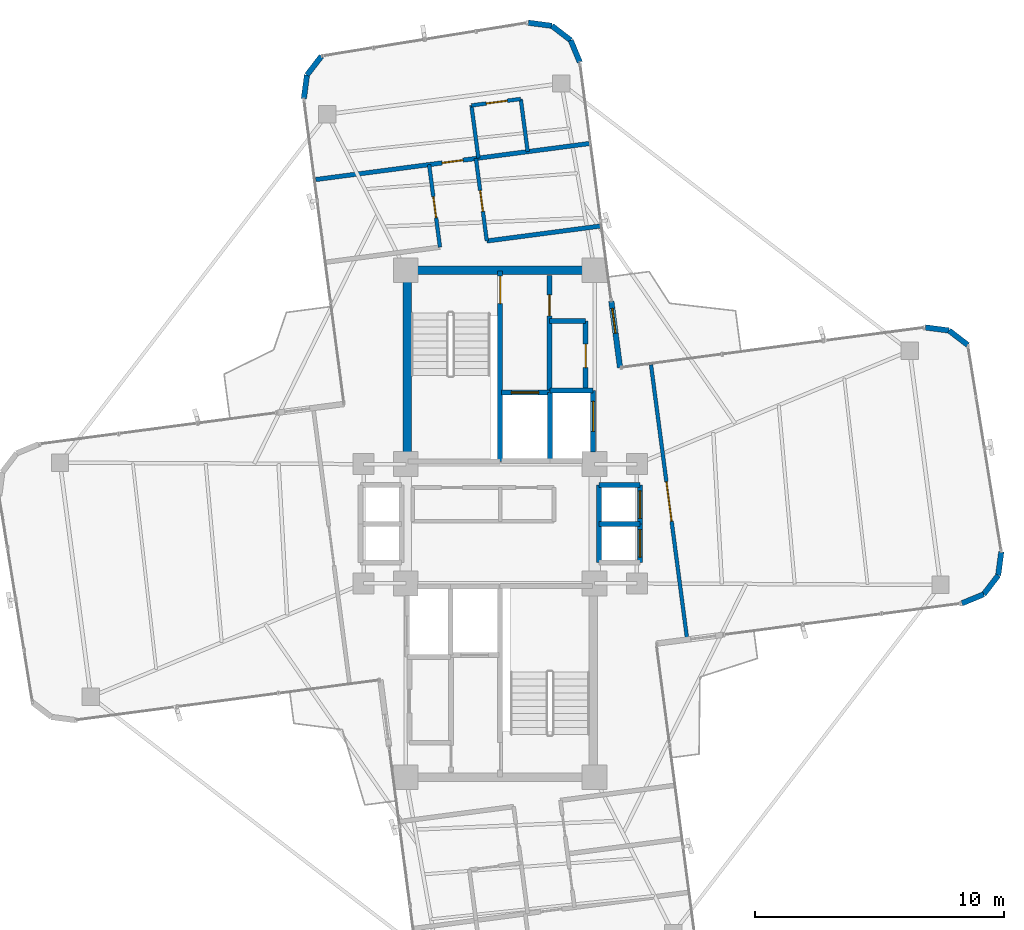
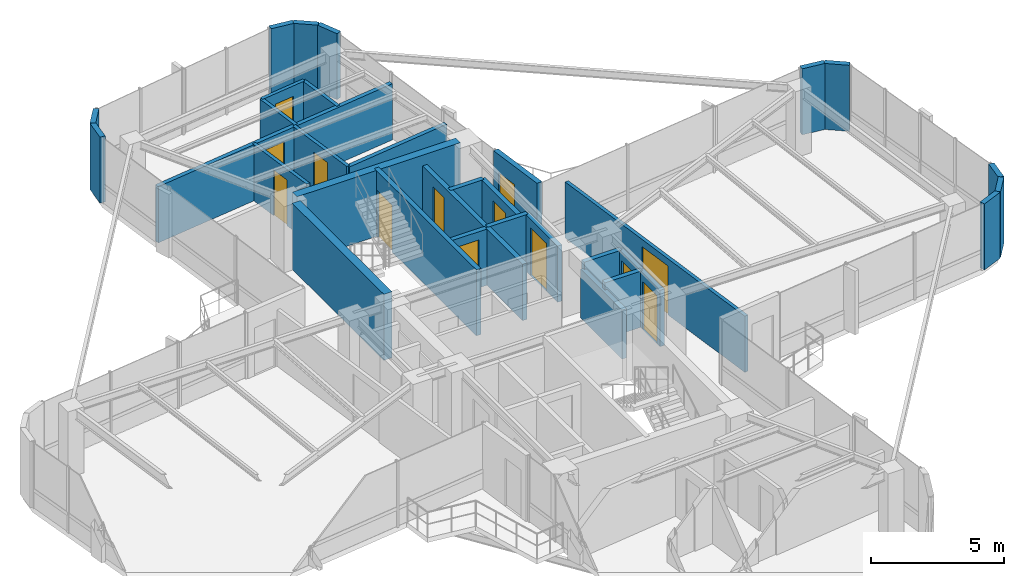
# One storey, part 20 of 22: 34 walls, 13 doors, 13 openings.
"""IFC4 building model written with IfcOpenShell, lengths in metres."""

from ifc_helpers import new_model, si_unit, direction, frame, frame_2d, origin, origin_2d, place, context, subcontext, project, spatial, rectangle, extrude, source, transform, mapped, material, layer, layer_set, type_object, element, fill, save


model = new_model("IFC4")

# Units and contexts
model_context = context("Model", 3, precision=1e-05, world=origin(), true_north=direction((0.0, 1.0)))
body_context = subcontext(model_context, "Body", "Model", "MODEL_VIEW")
ifc_project = project(units=[si_unit("LENGTHUNIT", "METRE"), si_unit("AREAUNIT", "SQUARE_METRE"), si_unit("VOLUMEUNIT", "CUBIC_METRE"), si_unit("PLANEANGLEUNIT", "RADIAN"), si_unit("MASSUNIT", "GRAM", prefix="KILO")], contexts=[model_context])

# Site, building, storey
site_placement = place(None, origin())
site = spatial("IfcSite", under=ifc_project, at=site_placement, CompositionType="ELEMENT")
building_placement = place(site_placement, origin())
building = spatial("IfcBuilding", under=site, at=building_placement, Name="Sahyath Konkavel Grand Hotel", CompositionType="ELEMENT")
storey_placement = place(building_placement, frame((0.0, 0.0, 261.25)))
storey = spatial("IfcBuildingStorey", under=building, at=storey_placement, Name="L73", CompositionType="ELEMENT", Elevation=261.25)

# Walls
ifc_material_1 = material(Name="Concrete C40/50", Category="concrete")
ifc_layer_1 = layer(ifc_material_1, 0.35009765625)
ifc_layer_set_1 = layer_set([ifc_layer_1], Name="Concrete C40/50")
wall_type_1 = type_object("IfcWallType", Name="CWALL-350", PredefinedType="SHEAR", material=ifc_layer_set_1)
wall_1_placement = place(storey_placement, frame((-3.550048828125, 10.199951171875, 0.0), z_axis=(0.0, 0.0, 1.0), x_axis=(1.0, 0.0, 0.0)))
element("IfcWall", 1, at=wall_1_placement, inside=storey, type_object=wall_type_1, Name="L73 North Core Shear Wall N", PredefinedType="SHEAR", context=body_context, shape_type="SweptSolid", body=[
    extrude(rectangle(XDim=7.10009765625, YDim=0.35009765625, at=frame_2d((3.550048828125, 0.0))), origin(), (0.0, 0.0, 1.0), 3.030029296875),
])
wall_2_placement = place(storey_placement, frame((-3.739990234375, 2.85009765625, 0.0), z_axis=(0.0, 0.0, 1.0), x_axis=(0.0, 1.0, 0.0)))
element("IfcWall", 2, at=wall_2_placement, inside=storey, type_object=wall_type_1, Name="L73 North Core Shear Wall W", PredefinedType="SHEAR", context=body_context, shape_type="SweptSolid", body=[
    extrude(rectangle(XDim=6.89990234375, YDim=0.35009765625, at=frame_2d((3.449951171875, 0.0))), origin(), (0.0, 0.0, 1.0), 3.030029296875),
])
ifc_material_2 = material(Name="Warm Buff Sandstone Insulated Concrete C40/50", Category="masonry")
ifc_layer_2 = layer(ifc_material_2, 0.219970703125)
ifc_layer_set_2 = layer_set([ifc_layer_2], Name="Warm Buff Sandstone Insulated Concrete C40/50")
wall_type_2 = type_object("IfcWallType", Name="WLL-BALC-THRESH", PredefinedType="STANDARD", material=ifc_layer_set_2)
wall_3_placement = place(storey_placement, frame((18.56689453125, -3.203857421875, 0.0), z_axis=(0.0, 0.0, 1.0), x_axis=(0.923926759112, 0.382569397359, 0.0)))
element("IfcWall", 3, at=wall_3_placement, inside=storey, type_object=wall_type_2, Name="L73 Rounded Corner Sandstone Pier 1", PredefinedType="STANDARD", context=body_context, shape_type="SweptSolid", body=[
    extrude(rectangle(XDim=0.957763671875, YDim=0.219970703125, at=frame_2d((0.47900390625, 0.0))), origin(), (0.0, 0.0, 1.0), 3.030029296875),
])
for number, where, z_axis, x_axis, name in (
    (4, (19.451904296875, -2.83740234375, 0.0), (0.0, 0.0, 1.0), (0.60861352168, 0.793466811674, 0.0), "L73 Rounded Corner Sandstone Pier 2"),
    (5, (20.03466796875, -2.07763671875, 0.0), (0.0, 0.0, 1.0), (0.13056005306, 0.991440402921, 0.0), "L73 Rounded Corner Sandstone Pier 3"),
    (6, (18.814208984375, 7.1923828125, 0.0), (0.0, 0.0, 1.0), (-0.793249178392, 0.608897151398, 0.0), "L73 Rounded Corner Sandstone Pier 5"),
):
    element("IfcWall", number, at=place(storey_placement, frame(where, z_axis=z_axis, x_axis=x_axis)), inside=storey, type_object=wall_type_2, Name=name, PredefinedType="STANDARD", context=body_context, shape_type="SweptSolid", body=[
        extrude(rectangle(XDim=0.95751953125, YDim=0.219970703125, at=frame_2d((0.478759765625, 0.0))), origin(), (0.0, 0.0, 1.0), 3.030029296875),
    ])
wall_4_placement = place(storey_placement, frame((18.0546875, 7.775390625, 0.0), z_axis=(0.0, 0.0, 1.0), x_axis=(-0.991449089759, 0.130494070426, 0.0)))
element("IfcWall", 7, at=wall_4_placement, inside=storey, type_object=wall_type_2, Name="L73 Rounded Corner Sandstone Pier 6", PredefinedType="STANDARD", context=body_context, shape_type="SweptSolid", body=[
    extrude(rectangle(XDim=0.9580078125, YDim=0.219970703125, at=frame_2d((0.47900390625, 0.0))), origin(), (0.0, 0.0, 1.0), 3.030029296875),
])

# Wall, opening, door
wall_5_placement = place(storey_placement, frame((4.821044921875, 6.282958984375, 0.0), z_axis=(0.0, 0.0, 1.0), x_axis=(-0.130475563272, 0.991451525486, 0.0)))
wall_5 = element("IfcWall", 8, at=wall_5_placement, inside=storey, type_object=wall_type_2, Name="L73 Winter-Garden Threshold Wall 8", PredefinedType="STANDARD", context=body_context, shape_type="SweptSolid", body=[
    extrude(rectangle(XDim=2.7001953125, YDim=0.219970703125, at=frame_2d((1.35009765625, 0.0))), origin(), (0.0, 0.0, 1.0), 3.030029296875),
])
opening_1_placement = place(wall_5_placement, frame((1.39990234375, 0.0, 0.0)))
opening_1 = element("IfcOpeningElement", 9, at=opening_1_placement, cuts=wall_5, Name="Opening D-TR1", PredefinedType="OPENING", context=body_context, shape_type="SweptSolid", body=[
    extrude(rectangle(XDim=1.0, YDim=2.199951171875, at=frame_2d((0.5, 1.10009765625))), frame((0.0, 0.1201171875, 0.0), z_axis=(0.0, -1.0, 0.0), x_axis=(1.0, 0.0, 0.0)), (0.0, 0.0, 1.0), 0.239990234375),
])
ifc_material_3 = material(Name="Anodised Bronze Aluminium & Low-E Glazing", Category="aluminium")
door_type_1 = type_object("IfcDoorType", Name="DR-TERRACE-1000", OperationType="NOTDEFINED", PredefinedType="DOOR", material=ifc_material_3)
shared_shape_1 = source(origin(), body_context, "Body", "SweptSolid", [
    extrude(rectangle(XDim=1.0, YDim=0.050048828125, at=origin_2d()), origin(), (0.0, 0.0, 1.0), 2.199951171875),
])
door_1_placement = place(opening_1_placement, frame((0.5, 0.0, 0.0)))
door_1 = element("IfcDoor", 10, at=door_1_placement, inside=storey, type_object=door_type_1, Name="L73 Winter-Garden Terrace Door 8", OperationType="SINGLE_SWING_LEFT", OverallHeight=2.199951171875, OverallWidth=1.0, PredefinedType="DOOR", context=body_context, shape_type="MappedRepresentation", body=[
    mapped(shared_shape_1, transform((0.0, 0.0, 0.0), scale=1.0)),
])
fill(opening_1, door_1)

# Walls
wall_6_placement = place(storey_placement, frame((3.203857421875, 18.56689453125, 0.0), z_axis=(0.0, 0.0, 1.0), x_axis=(-0.382569397359, 0.923926759112, 0.0)))
element("IfcWall", 11, at=wall_6_placement, inside=storey, type_object=wall_type_2, Name="L73 Rounded Corner Sandstone Pier 9", PredefinedType="STANDARD", context=body_context, shape_type="SweptSolid", body=[
    extrude(rectangle(XDim=0.957763671875, YDim=0.219970703125, at=frame_2d((0.47900390625, 0.0))), origin(), (0.0, 0.0, 1.0), 3.030029296875),
])
for number, where, z_axis, x_axis, name in (
    (12, (2.83740234375, 19.451904296875, 0.0), (0.0, 0.0, 1.0), (-0.793466811674, 0.60861352168, 0.0), "L73 Rounded Corner Sandstone Pier 10"),
    (13, (2.07763671875, 20.03466796875, 0.0), (0.0, 0.0, 1.0), (-0.991440402921, 0.13056005306, 0.0), "L73 Rounded Corner Sandstone Pier 11"),
    (14, (-7.1923828125, 18.814208984375, 0.0), (0.0, 0.0, 1.0), (-0.608897151398, -0.793249178392, 0.0), "L73 Rounded Corner Sandstone Pier 13"),
):
    element("IfcWall", number, at=place(storey_placement, frame(where, z_axis=z_axis, x_axis=x_axis)), inside=storey, type_object=wall_type_2, Name=name, PredefinedType="STANDARD", context=body_context, shape_type="SweptSolid", body=[
        extrude(rectangle(XDim=0.95751953125, YDim=0.219970703125, at=frame_2d((0.478759765625, 0.0))), origin(), (0.0, 0.0, 1.0), 3.030029296875),
    ])
wall_7_placement = place(storey_placement, frame((-7.775390625, 18.0546875, 0.0), z_axis=(0.0, 0.0, 1.0), x_axis=(-0.130494070426, -0.991449089759, 0.0)))
element("IfcWall", 15, at=wall_7_placement, inside=storey, type_object=wall_type_2, Name="L73 Rounded Corner Sandstone Pier 14", PredefinedType="STANDARD", context=body_context, shape_type="SweptSolid", body=[
    extrude(rectangle(XDim=0.9580078125, YDim=0.219970703125, at=frame_2d((0.47900390625, 0.0))), origin(), (0.0, 0.0, 1.0), 3.030029296875),
])

# Wall, opening, door
ifc_layer_3 = layer(ifc_material_1, 0.199951171875)
ifc_layer_set_3 = layer_set([ifc_layer_3], Name="Concrete C40/50")
wall_type_3 = type_object("IfcWallType", Name="WLL-CORE-200", PredefinedType="SOLIDWALL", material=ifc_layer_set_3)
wall_8_placement = place(storey_placement, frame((0.0, 2.5, 0.0), z_axis=(0.0, 0.0, 1.0), x_axis=(0.0, 1.0, 0.0)))
wall_8 = element("IfcWall", 16, at=wall_8_placement, inside=storey, type_object=wall_type_3, Name="L73 Stair ST-1 Shaft Wall E", PredefinedType="SOLIDWALL", context=body_context, shape_type="SweptSolid", body=[
    extrude(rectangle(XDim=7.679931640625, YDim=0.199951171875, at=frame_2d((3.83984375, 0.0))), origin(), (0.0, 0.0, 1.0), 3.030029296875),
])
opening_2_placement = place(wall_8_placement, frame((6.360107421875, 0.0, 0.0)))
opening_2 = element("IfcOpeningElement", 17, at=opening_2_placement, cuts=wall_8, Name="Opening D-F12B", PredefinedType="OPENING", context=body_context, shape_type="SweptSolid", body=[
    extrude(rectangle(XDim=1.10009765625, YDim=2.14990234375, at=frame_2d((0.550048828125, 1.074951171875))), frame((0.0, 0.10986328125, 0.0), z_axis=(0.0, -1.0, 0.0), x_axis=(1.0, 0.0, 0.0)), (0.0, 0.0, 1.0), 0.219970703125),
])
ifc_material_4 = material(Name="Steel E350 Smokeproof Fire Door", Category="steel")
door_type_2 = type_object("IfcDoorType", Name="DR-FD120-1100", OperationType="NOTDEFINED", PredefinedType="DOOR", material=ifc_material_4)
shared_shape_2 = source(origin(), body_context, "Body", "SweptSolid", [
    extrude(rectangle(XDim=1.10009765625, YDim=0.050048828125, at=origin_2d()), origin(), (0.0, 0.0, 1.0), 2.14990234375),
])
door_2_placement = place(opening_2_placement, frame((0.550048828125, 0.0, 0.0)))
door_2 = element("IfcDoor", 18, at=door_2_placement, inside=storey, type_object=door_type_2, Name="L73 Stair ST-1 Fire Door", OperationType="SINGLE_SWING_LEFT", OverallHeight=2.14990234375, OverallWidth=1.10009765625, PredefinedType="DOOR", context=body_context, shape_type="MappedRepresentation", body=[
    mapped(shared_shape_2, transform((0.0, 0.0, 0.0), scale=1.0)),
])
fill(opening_2, door_2)

wall_9_placement = place(storey_placement, frame((1.97998046875, 5.320068359375, 0.0), z_axis=(0.0, 0.0, 1.0), x_axis=(0.0, 1.0, 0.0)))
wall_9 = element("IfcWall", 19, at=wall_9_placement, inside=storey, type_object=wall_type_3, Name="L73 North Firefighting Lobby Wall E", PredefinedType="SOLIDWALL", context=body_context, shape_type="SweptSolid", body=[
    extrude(rectangle(XDim=4.659912109375, YDim=0.199951171875, at=frame_2d((2.330078125, 0.0))), origin(), (0.0, 0.0, 1.0), 2.580078125),
])
opening_3_placement = place(wall_9_placement, frame((3.0400390625, 0.0, 0.0)))
opening_3 = element("IfcOpeningElement", 20, at=opening_3_placement, cuts=wall_9, Name="Opening D-F12D", PredefinedType="OPENING", context=body_context, shape_type="SweptSolid", body=[
    extrude(rectangle(XDim=0.85009765625, YDim=2.10009765625, at=frame_2d((0.425048828125, 1.050048828125))), frame((0.0, 0.10986328125, 0.0), z_axis=(0.0, -1.0, 0.0), x_axis=(1.0, 0.0, 0.0)), (0.0, 0.0, 1.0), 0.219970703125),
])
ifc_material_5 = material(Name="Steel E350 Core Fire Door", Category="steel")
door_type_3 = type_object("IfcDoorType", Name="DR-FD120-850", OperationType="NOTDEFINED", PredefinedType="DOOR", material=ifc_material_5)
shared_shape_3 = source(origin(), body_context, "Body", "SweptSolid", [
    extrude(rectangle(XDim=0.85009765625, YDim=0.050048828125, at=origin_2d()), origin(), (0.0, 0.0, 1.0), 2.10009765625),
])
door_3_placement = place(opening_3_placement, frame((0.425048828125, 0.0, 0.0)))
door_3 = element("IfcDoor", 21, at=door_3_placement, inside=storey, type_object=door_type_3, Name="L73 North Firefighting Lobby Door", OperationType="SINGLE_SWING_LEFT", OverallHeight=2.10009765625, OverallWidth=0.85009765625, PredefinedType="DOOR", context=body_context, shape_type="MappedRepresentation", body=[
    mapped(shared_shape_3, transform((0.0, 0.0, 0.0), scale=1.0)),
])
fill(opening_3, door_3)

# Wall
wall_10_placement = place(storey_placement, frame((2.0, 2.5, 0.0), z_axis=(0.0, 0.0, 1.0), x_axis=(0.0, 1.0, 0.0)))
element("IfcWall", 22, at=wall_10_placement, inside=storey, type_object=wall_type_3, Name="L73 Partition SH-FFL1-E", PredefinedType="SOLIDWALL", context=body_context, shape_type="SweptSolid", body=[
    extrude(rectangle(XDim=2.780029296875, YDim=0.199951171875, at=frame_2d((1.39013671875, 0.0))), origin(), (0.0, 0.0, 1.0), 2.580078125),
])

# Wall, opening, door
wall_11_placement = place(storey_placement, frame((0.050048828125, 5.280029296875, 0.0), z_axis=(0.0, 0.0, 1.0), x_axis=(1.0, 0.0, 0.0)))
wall_11 = element("IfcWall", 23, at=wall_11_placement, inside=storey, type_object=wall_type_3, Name="L73 Partition SH-FFL1-N", PredefinedType="SOLIDWALL", context=body_context, shape_type="SweptSolid", body=[
    extrude(rectangle(XDim=1.929931640625, YDim=0.199951171875, at=frame_2d((0.96484375, 0.0))), origin(), (0.0, 0.0, 1.0), 2.580078125),
])
opening_4_placement = place(wall_11_placement, frame((0.39990234375, 0.0, 0.0)))
opening_4 = element("IfcOpeningElement", 24, at=opening_4_placement, cuts=wall_11, Name="Opening LD-11", PredefinedType="OPENING", context=body_context, shape_type="SweptSolid", body=[
    extrude(rectangle(XDim=1.10009765625, YDim=2.199951171875, at=frame_2d((0.550048828125, 1.10009765625))), frame((0.0, 0.10986328125, 0.0), z_axis=(0.0, -1.0, 0.0), x_axis=(1.0, 0.0, 0.0)), (0.0, 0.0, 1.0), 0.219970703125),
])
ifc_material_6 = material(Name="Bronze Lift Landing Door 1100")
door_type_4 = type_object("IfcDoorType", Name="DR-LIFT-1100", OperationType="DOUBLE_DOOR_SLIDING", PredefinedType="DOOR", material=ifc_material_6)
shared_shape_4 = source(origin(), body_context, "Body", "SweptSolid", [
    extrude(rectangle(XDim=1.10009765625, YDim=0.050048828125, at=origin_2d()), origin(), (0.0, 0.0, 1.0), 2.199951171875),
])
door_4_placement = place(opening_4_placement, frame((0.550048828125, 0.0, 0.0)))
door_4 = element("IfcDoor", 25, at=door_4_placement, inside=storey, type_object=door_type_4, Name="L73 Lift FFL-1 Landing Door", OperationType="DOUBLE_DOOR_SLIDING", OverallHeight=2.199951171875, OverallWidth=1.10009765625, PredefinedType="DOOR", context=body_context, shape_type="MappedRepresentation", body=[
    mapped(shared_shape_4, transform((0.0, 0.0, 0.0), scale=1.0)),
])
fill(opening_4, door_4)

# Wall
wall_12_placement = place(storey_placement, frame((2.0, 5.360107421875, 0.0), z_axis=(0.0, 0.0, 1.0), x_axis=(1.0, 0.0, 0.0)))
element("IfcWall", 26, at=wall_12_placement, inside=storey, type_object=wall_type_3, Name="L73 Partition SH-SVL1-N", PredefinedType="SOLIDWALL", context=body_context, shape_type="SweptSolid", body=[
    extrude(rectangle(XDim=1.739990234375, YDim=0.199951171875, at=frame_2d((0.8701171875, 0.0))), origin(), (0.0, 0.0, 1.0), 2.580078125),
])

# Wall, opening, door
wall_13_placement = place(storey_placement, frame((3.739990234375, 2.8798828125, 0.0), z_axis=(0.0, 0.0, 1.0), x_axis=(0.0, 1.0, 0.0)))
wall_13 = element("IfcWall", 27, at=wall_13_placement, inside=storey, type_object=wall_type_3, Name="L73 Partition SH-SVL1-E", PredefinedType="SOLIDWALL", context=body_context, shape_type="SweptSolid", body=[
    extrude(rectangle(XDim=2.480224609375, YDim=0.199951171875, at=frame_2d((1.240234375, 0.0))), origin(), (0.0, 0.0, 1.0), 2.580078125),
])
opening_5_placement = place(wall_13_placement, frame((0.840087890625, 0.0, 0.0)))
opening_5 = element("IfcOpeningElement", 28, at=opening_5_placement, cuts=wall_13, Name="Opening LD-12", PredefinedType="OPENING", context=body_context, shape_type="SweptSolid", body=[
    extrude(rectangle(XDim=1.199951171875, YDim=2.199951171875, at=frame_2d((0.60009765625, 1.10009765625))), frame((0.0, 0.10986328125, 0.0), z_axis=(0.0, -1.0, 0.0), x_axis=(1.0, 0.0, 0.0)), (0.0, 0.0, 1.0), 0.219970703125),
])
ifc_material_7 = material(Name="Stainless Steel Lift Landing Door 1200", Category="steel")
door_type_5 = type_object("IfcDoorType", Name="DR-LIFT-1200", OperationType="DOUBLE_DOOR_SLIDING", PredefinedType="DOOR", material=ifc_material_7)
shared_shape_5 = source(origin(), body_context, "Body", "SweptSolid", [
    extrude(rectangle(XDim=1.199951171875, YDim=0.050048828125, at=origin_2d()), origin(), (0.0, 0.0, 1.0), 2.199951171875),
])
door_5_placement = place(opening_5_placement, frame((0.60009765625, 0.0, 0.0)))
door_5 = element("IfcDoor", 29, at=door_5_placement, inside=storey, type_object=door_type_5, Name="L73 Service Lift SVL-1 Landing Door", OperationType="DOUBLE_DOOR_SLIDING", OverallHeight=2.199951171875, OverallWidth=1.199951171875, PredefinedType="DOOR", context=body_context, shape_type="MappedRepresentation", body=[
    mapped(shared_shape_5, transform((0.0, 0.0, 0.0), scale=1.0)),
])
fill(opening_5, door_5)

# Walls
wall_14_placement = place(storey_placement, frame((3.97998046875, -1.56005859375, 0.0), z_axis=(0.0, 0.0, 1.0), x_axis=(0.0, 1.0, 0.0)))
element("IfcWall", 30, at=wall_14_placement, inside=storey, type_object=wall_type_3, Name="L73 Partition SH-PL56-W", PredefinedType="SOLIDWALL", context=body_context, shape_type="SweptSolid", body=[
    extrude(rectangle(XDim=3.1201171875, YDim=0.199951171875, at=frame_2d((1.56005859375, 0.0))), origin(), (0.0, 0.0, 1.0), 2.25),
])
for number, where, z_axis, x_axis, name in (
    (31, (3.97998046875, 1.56005859375, 0.0), (0.0, 0.0, 1.0), (1.0, 0.0, 0.0), "L73 Partition SH-PL56-N"),
    (32, (3.97998046875, 0.0, 0.0), (0.0, 0.0, 1.0), (1.0, 0.0, 0.0), "L73 Partition SH-PL56-M"),
):
    element("IfcWall", number, at=place(storey_placement, frame(where, z_axis=z_axis, x_axis=x_axis)), inside=storey, type_object=wall_type_3, Name=name, PredefinedType="SOLIDWALL", context=body_context, shape_type="SweptSolid", body=[
        extrude(rectangle(XDim=1.64013671875, YDim=0.199951171875, at=frame_2d((0.820068359375, 0.0))), origin(), (0.0, 0.0, 1.0), 2.580078125),
    ])

# Wall, opening, door
wall_15_placement = place(storey_placement, frame((5.6201171875, 0.0, 0.0), z_axis=(0.0, 0.0, 1.0), x_axis=(0.0, 1.0, 0.0)))
wall_15 = element("IfcWall", 33, at=wall_15_placement, inside=storey, type_object=wall_type_3, Name="L73 Partition SH-PL5-E", PredefinedType="SOLIDWALL", context=body_context, shape_type="SweptSolid", body=[
    extrude(rectangle(XDim=1.56005859375, YDim=0.199951171875, at=frame_2d((0.780029296875, 0.0))), origin(), (0.0, 0.0, 1.0), 2.580078125),
])
opening_6_placement = place(wall_15_placement, frame((0.219970703125, 0.0, 0.0)))
opening_6 = element("IfcOpeningElement", 34, at=opening_6_placement, cuts=wall_15, Name="Opening LD-11", PredefinedType="OPENING", context=body_context, shape_type="SweptSolid", body=[
    extrude(rectangle(XDim=1.10009765625, YDim=2.199951171875, at=frame_2d((0.550048828125, 1.10009765625))), frame((0.0, 0.10986328125, 0.0), z_axis=(0.0, -1.0, 0.0), x_axis=(1.0, 0.0, 0.0)), (0.0, 0.0, 1.0), 0.219970703125),
])
door_6_placement = place(opening_6_placement, frame((0.550048828125, 0.0, 0.0)))
door_6 = element("IfcDoor", 35, at=door_6_placement, inside=storey, type_object=door_type_4, Name="L73 High-Rise Lift PL-5 Landing Door", OperationType="DOUBLE_DOOR_SLIDING", OverallHeight=2.199951171875, OverallWidth=1.10009765625, PredefinedType="DOOR", context=body_context, shape_type="MappedRepresentation", body=[
    mapped(shared_shape_4, transform((0.0, 0.0, 0.0), scale=1.0)),
])
fill(opening_6, door_6)

wall_16_placement = place(storey_placement, frame((5.6201171875, -1.56005859375, 0.0), z_axis=(0.0, 0.0, 1.0), x_axis=(0.0, 1.0, 0.0)))
wall_16 = element("IfcWall", 36, at=wall_16_placement, inside=storey, type_object=wall_type_3, Name="L73 Partition SH-PL6-E", PredefinedType="SOLIDWALL", context=body_context, shape_type="SweptSolid", body=[
    extrude(rectangle(XDim=1.56005859375, YDim=0.199951171875, at=frame_2d((0.780029296875, 0.0))), origin(), (0.0, 0.0, 1.0), 2.580078125),
])
opening_7_placement = place(wall_16_placement, frame((0.219970703125, 0.0, 0.0)))
opening_7 = element("IfcOpeningElement", 37, at=opening_7_placement, cuts=wall_16, Name="Opening LD-11", PredefinedType="OPENING", context=body_context, shape_type="SweptSolid", body=[
    extrude(rectangle(XDim=1.10009765625, YDim=2.199951171875, at=frame_2d((0.550048828125, 1.10009765625))), frame((0.0, 0.10986328125, 0.0), z_axis=(0.0, -1.0, 0.0), x_axis=(1.0, 0.0, 0.0)), (0.0, 0.0, 1.0), 0.219970703125),
])
door_7_placement = place(opening_7_placement, frame((0.550048828125, 0.0, 0.0)))
door_7 = element("IfcDoor", 38, at=door_7_placement, inside=storey, type_object=door_type_4, Name="L73 High-Rise Lift PL-6 Landing Door", OperationType="DOUBLE_DOOR_SLIDING", OverallHeight=2.199951171875, OverallWidth=1.10009765625, PredefinedType="DOOR", context=body_context, shape_type="MappedRepresentation", body=[
    mapped(shared_shape_4, transform((0.0, 0.0, 0.0), scale=1.0)),
])
fill(opening_7, door_7)

wall_17_placement = place(storey_placement, frame((3.43994140625, 5.3798828125, 0.0), z_axis=(0.0, 0.0, 1.0), x_axis=(0.0, 1.0, 0.0)))
wall_17 = element("IfcWall", 39, at=wall_17_placement, inside=storey, type_object=wall_type_3, Name="L73 Reclaimed North Core Wall E", PredefinedType="SOLIDWALL", context=body_context, shape_type="SweptSolid", body=[
    extrude(rectangle(XDim=2.77001953125, YDim=0.199951171875, at=frame_2d((1.385009765625, 0.0))), origin(), (0.0, 0.0, 1.0), 2.580078125),
])
opening_8_placement = place(wall_17_placement, frame((0.89990234375, 0.0, 0.0)))
opening_8 = element("IfcOpeningElement", 40, at=opening_8_placement, cuts=wall_17, Name="Opening D-F06B", PredefinedType="OPENING", context=body_context, shape_type="SweptSolid", body=[
    extrude(rectangle(XDim=0.949951171875, YDim=2.14990234375, at=frame_2d((0.47509765625, 1.074951171875))), frame((0.0, 0.10986328125, 0.0), z_axis=(0.0, -1.0, 0.0), x_axis=(1.0, 0.0, 0.0)), (0.0, 0.0, 1.0), 0.219970703125),
])
ifc_material_8 = material(Name="Teak Veneer Fire-Rated Guest Entrance Door")
door_type_6 = type_object("IfcDoorType", Name="DR-FD60-950", OperationType="NOTDEFINED", PredefinedType="DOOR", material=ifc_material_8)
shared_shape_6 = source(origin(), body_context, "Body", "SweptSolid", [
    extrude(rectangle(XDim=0.949951171875, YDim=0.050048828125, at=origin_2d()), origin(), (0.0, 0.0, 1.0), 2.14990234375),
])
door_8_placement = place(opening_8_placement, frame((0.47509765625, 0.0, 0.0)))
door_8 = element("IfcDoor", 41, at=door_8_placement, inside=storey, type_object=door_type_6, Name="L73 Door NC-REC1-D", OperationType="SINGLE_SWING_LEFT", OverallHeight=2.14990234375, OverallWidth=0.949951171875, PredefinedType="DOOR", context=body_context, shape_type="MappedRepresentation", body=[
    mapped(shared_shape_6, transform((0.0, 0.0, 0.0), scale=1.0)),
])
fill(opening_8, door_8)

# Walls
wall_18_placement = place(storey_placement, frame((1.97998046875, 8.14990234375, 0.0), z_axis=(0.0, 0.0, 1.0), x_axis=(1.0, 0.0, 0.0)))
element("IfcWall", 42, at=wall_18_placement, inside=storey, type_object=wall_type_3, Name="L73 Partition NC-REC-N", PredefinedType="SOLIDWALL", context=body_context, shape_type="SweptSolid", body=[
    extrude(rectangle(XDim=1.4599609375, YDim=0.199951171875, at=frame_2d((0.72998046875, 0.0))), origin(), (0.0, 0.0, 1.0), 2.580078125),
])
ifc_material_9 = material(Name="Twin-Stud Acoustic Gypsum Plasterboard Partition")
ifc_layer_4 = layer(ifc_material_9, 0.179931640625)
ifc_layer_set_4 = layer_set([ifc_layer_4], Name="Twin-Stud Acoustic Gypsum Plasterboard Partition")
wall_type_4 = type_object("IfcWallType", Name="WLL-DEMISE-180", PredefinedType="PARTITIONING", material=ifc_layer_set_4)
wall_19_placement = place(storey_placement, frame((4.02099609375, 11.977294921875, 0.0), z_axis=(0.0, 0.0, 1.0), x_axis=(-0.991446706518, -0.130512176195, 0.0)))
element("IfcWall", 43, at=wall_19_placement, inside=storey, type_object=wall_type_4, Name="L73 Partition N-INR", PredefinedType="PARTITIONING", context=body_context, shape_type="SweptSolid", body=[
    extrude(rectangle(XDim=4.599853515625, YDim=0.179931640625, at=frame_2d((2.2998046875, 0.0))), origin(), (0.0, 0.0, 1.0), 2.580078125),
])

# Wall, opening, door
wall_20_placement = place(storey_placement, frame((3.583740234375, 15.298583984375, 0.0), z_axis=(0.0, 0.0, 1.0), x_axis=(-0.991446283422, -0.130515390239, 0.0)))
wall_20 = element("IfcWall", 44, at=wall_20_placement, inside=storey, type_object=wall_type_4, Name="L73 Partition N-NTIP-END", PredefinedType="PARTITIONING", context=body_context, shape_type="SweptSolid", body=[
    extrude(rectangle(XDim=11.10009765625, YDim=0.179931640625, at=frame_2d((5.550048828125, 0.0))), origin(), (0.0, 0.0, 1.0), 2.580078125),
])
opening_9_placement = place(wall_20_placement, frame((5.125, 0.0, 0.0)))
opening_9 = element("IfcOpeningElement", 45, at=opening_9_placement, cuts=wall_20, Name="Opening D-F06D", PredefinedType="OPENING", context=body_context, shape_type="SweptSolid", body=[
    extrude(rectangle(XDim=0.85009765625, YDim=2.10009765625, at=frame_2d((0.425048828125, 1.050048828125))), frame((0.0, 0.10009765625, 0.0), z_axis=(0.0, -1.0, 0.0), x_axis=(1.0, 0.0, 0.0)), (0.0, 0.0, 1.0), 0.199951171875),
])
ifc_material_10 = material(Name="Fire-Rated Shaft Access Door")
door_type_7 = type_object("IfcDoorType", Name="DR-FD60-850", OperationType="NOTDEFINED", PredefinedType="DOOR", material=ifc_material_10)
door_9_placement = place(opening_9_placement, frame((0.425048828125, 0.0, 0.0)))
door_9 = element("IfcDoor", 46, at=door_9_placement, inside=storey, type_object=door_type_7, Name="L73 Door N-NTIP-ED", OperationType="SINGLE_SWING_RIGHT", OverallHeight=2.10009765625, OverallWidth=0.85009765625, PredefinedType="DOOR", context=body_context, shape_type="MappedRepresentation", body=[
    mapped(shared_shape_3, transform((0.0, 0.0, 0.0), scale=1.0)),
])
fill(opening_9, door_9)

ifc_material_11 = material(Name="Fire-Rated Gypsum Plasterboard Partition")
ifc_layer_5 = layer(ifc_material_11, 0.14990234375)
ifc_layer_set_5 = layer_set([ifc_layer_5], Name="Fire-Rated Gypsum Plasterboard Partition")
wall_type_5 = type_object("IfcWallType", Name="WLL-PART-150", PredefinedType="PARTITIONING", material=ifc_layer_set_5)
wall_21_placement = place(storey_placement, frame((7.515869140625, -4.6083984375, 0.0), z_axis=(0.0, 0.0, 1.0), x_axis=(-0.130539856574, 0.991443062332, 0.0)))
wall_21 = element("IfcWall", 47, at=wall_21_placement, inside=storey, type_object=wall_type_5, Name="L73 Partition E-SAL-IN", PredefinedType="PARTITIONING", context=body_context, shape_type="SweptSolid", body=[
    extrude(rectangle(XDim=11.099853515625, YDim=0.14990234375, at=frame_2d((5.5498046875, 0.0))), origin(), (0.0, 0.0, 1.0), 2.580078125),
])
opening_10_placement = place(wall_21_placement, frame((4.75, 0.0, 0.0)))
opening_10 = element("IfcOpeningElement", 48, at=opening_10_placement, cuts=wall_21, Name="Opening D-DB16", PredefinedType="OPENING", context=body_context, shape_type="SweptSolid", body=[
    extrude(rectangle(XDim=1.60009765625, YDim=2.25, at=frame_2d((0.800048828125, 1.125))), frame((0.0, 0.0849609375, 0.0), z_axis=(0.0, -1.0, 0.0), x_axis=(1.0, 0.0, 0.0)), (0.0, 0.0, 1.0), 0.169921875),
])
ifc_material_12 = material(Name="Double Leaf Lounge Glazed Timber Door", Category="wood")
door_type_8 = type_object("IfcDoorType", Name="DR-DBL-1600", OperationType="DOUBLE_DOOR_SINGLE_SWING", PredefinedType="DOOR", material=ifc_material_12)
shared_shape_7 = source(origin(), body_context, "Body", "SweptSolid", [
    extrude(rectangle(XDim=1.60009765625, YDim=0.050048828125, at=origin_2d()), origin(), (0.0, 0.0, 1.0), 2.25),
])
door_10_placement = place(opening_10_placement, frame((0.800048828125, 0.0, 0.0)))
door_10 = element("IfcDoor", 49, at=door_10_placement, inside=storey, type_object=door_type_8, Name="L73 Door E-SAL-D", OperationType="DOUBLE_DOOR_SINGLE_SWING", OverallHeight=2.25, OverallWidth=1.60009765625, PredefinedType="DOOR", context=body_context, shape_type="MappedRepresentation", body=[
    mapped(shared_shape_7, transform((0.0, 0.0, 0.0), scale=1.0)),
])
fill(opening_10, door_10)

wall_22_placement = place(storey_placement, frame((-2.42333984375, 11.12890625, 0.0), z_axis=(0.0, 0.0, 1.0), x_axis=(-0.130526150873, 0.991444866817, 0.0)))
wall_22 = element("IfcWall", 50, at=wall_22_placement, inside=storey, type_object=wall_type_5, Name="L73 Partition N-CL", PredefinedType="PARTITIONING", context=body_context, shape_type="SweptSolid", body=[
    extrude(rectangle(XDim=3.349853515625, YDim=0.14990234375, at=frame_2d((1.6748046875, 0.0))), origin(), (0.0, 0.0, 1.0), 2.580078125),
])
opening_11_placement = place(wall_22_placement, frame((1.199951171875, 0.0, 0.0)))
opening_11 = element("IfcOpeningElement", 51, at=opening_11_placement, cuts=wall_22, Name="Opening D-F06D", PredefinedType="OPENING", context=body_context, shape_type="SweptSolid", body=[
    extrude(rectangle(XDim=0.85009765625, YDim=2.10009765625, at=frame_2d((0.425048828125, 1.050048828125))), frame((0.0, 0.0849609375, 0.0), z_axis=(0.0, -1.0, 0.0), x_axis=(1.0, 0.0, 0.0)), (0.0, 0.0, 1.0), 0.169921875),
])
door_11_placement = place(opening_11_placement, frame((0.425048828125, 0.0, 0.0)))
door_11 = element("IfcDoor", 52, at=door_11_placement, inside=storey, type_object=door_type_7, Name="L73 Door N-NS3L-D", OperationType="SINGLE_SWING_LEFT", OverallHeight=2.10009765625, OverallWidth=0.85009765625, PredefinedType="DOOR", context=body_context, shape_type="MappedRepresentation", body=[
    mapped(shared_shape_3, transform((0.0, 0.0, 0.0), scale=1.0)),
])
fill(opening_11, door_11)

wall_23_placement = place(storey_placement, frame((-0.53955078125, 11.376953125, 0.0), z_axis=(0.0, 0.0, 1.0), x_axis=(-0.130526150873, 0.991444866817, 0.0)))
wall_23 = element("IfcWall", 53, at=wall_23_placement, inside=storey, type_object=wall_type_5, Name="L73 Partition N-CR", PredefinedType="PARTITIONING", context=body_context, shape_type="SweptSolid", body=[
    extrude(rectangle(XDim=3.349853515625, YDim=0.14990234375, at=frame_2d((1.6748046875, 0.0))), origin(), (0.0, 0.0, 1.0), 2.580078125),
])
opening_12_placement = place(wall_23_placement, frame((1.199951171875, 0.0, 0.0)))
opening_12 = element("IfcOpeningElement", 54, at=opening_12_placement, cuts=wall_23, Name="Opening D-F06D", PredefinedType="OPENING", context=body_context, shape_type="SweptSolid", body=[
    extrude(rectangle(XDim=0.85009765625, YDim=2.10009765625, at=frame_2d((0.425048828125, 1.050048828125))), frame((0.0, 0.0849609375, 0.0), z_axis=(0.0, -1.0, 0.0), x_axis=(1.0, 0.0, 0.0)), (0.0, 0.0, 1.0), 0.169921875),
])
door_12_placement = place(opening_12_placement, frame((0.425048828125, 0.0, 0.0)))
door_12 = element("IfcDoor", 55, at=door_12_placement, inside=storey, type_object=door_type_7, Name="L73 Door N-NS3R-D", OperationType="SINGLE_SWING_RIGHT", OverallHeight=2.10009765625, OverallWidth=0.85009765625, PredefinedType="DOOR", context=body_context, shape_type="MappedRepresentation", body=[
    mapped(shared_shape_3, transform((0.0, 0.0, 0.0), scale=1.0)),
])
fill(opening_12, door_12)

# Walls
wall_24_placement = place(storey_placement, frame((-0.877685546875, 14.711181640625, 0.0), z_axis=(0.0, 0.0, 1.0), x_axis=(-0.130510632027, 0.991446909788, 0.0)))
element("IfcWall", 56, at=wall_24_placement, inside=storey, type_object=wall_type_5, Name="L73 Partition N-NTIP-BN", PredefinedType="PARTITIONING", context=body_context, shape_type="SweptSolid", body=[
    extrude(rectangle(XDim=2.13818359375, YDim=0.14990234375, at=frame_2d((1.069091796875, 0.0))), origin(), (0.0, 0.0, 1.0), 2.580078125),
])
wall_25_placement = place(storey_placement, frame((1.105224609375, 14.972412109375, 0.0), z_axis=(0.0, 0.0, 1.0), x_axis=(-0.130525408261, 0.991444964584, 0.0)))
element("IfcWall", 57, at=wall_25_placement, inside=storey, type_object=wall_type_5, Name="L73 Partition N-NTIP-BS", PredefinedType="PARTITIONING", context=body_context, shape_type="SweptSolid", body=[
    extrude(rectangle(XDim=2.137939453125, YDim=0.14990234375, at=frame_2d((1.06884765625, 0.0))), origin(), (0.0, 0.0, 1.0), 2.580078125),
])

# Wall, opening, door
wall_26_placement = place(storey_placement, frame((0.826171875, 17.092041015625, 0.0), z_axis=(0.0, 0.0, 1.0), x_axis=(-0.991449308994, -0.130492404742, 0.0)))
wall_26 = element("IfcWall", 58, at=wall_26_placement, inside=storey, type_object=wall_type_5, Name="L73 Partition N-NTIP-BE", PredefinedType="PARTITIONING", context=body_context, shape_type="SweptSolid", body=[
    extrude(rectangle(XDim=2.0, YDim=0.14990234375, at=frame_2d((1.0, 0.0))), origin(), (0.0, 0.0, 1.0), 2.580078125),
])
opening_13_placement = place(wall_26_placement, frame((0.550048828125, 0.0, 0.0)))
opening_13 = element("IfcOpeningElement", 59, at=opening_13_placement, cuts=wall_26, Name="Opening D-BT85", PredefinedType="OPENING", context=body_context, shape_type="SweptSolid", body=[
    extrude(rectangle(XDim=0.85009765625, YDim=2.10009765625, at=frame_2d((0.425048828125, 1.050048828125))), frame((0.0, 0.0849609375, 0.0), z_axis=(0.0, -1.0, 0.0), x_axis=(1.0, 0.0, 0.0)), (0.0, 0.0, 1.0), 0.169921875),
])
ifc_material_13 = material(Name="Moisture-Resistant Teak Bathroom Door")
door_type_9 = type_object("IfcDoorType", Name="DR-BATH-850", OperationType="NOTDEFINED", PredefinedType="DOOR", material=ifc_material_13)
door_13_placement = place(opening_13_placement, frame((0.425048828125, 0.0, 0.0)))
door_13 = element("IfcDoor", 60, at=door_13_placement, inside=storey, type_object=door_type_9, Name="L73 Door N-NTIP-BD", OperationType="SINGLE_SWING_LEFT", OverallHeight=2.10009765625, OverallWidth=0.85009765625, PredefinedType="DOOR", context=body_context, shape_type="MappedRepresentation", body=[
    mapped(shared_shape_3, transform((0.0, 0.0, 0.0), scale=1.0)),
])
fill(opening_13, door_13)

save(model, "model.ifc")
